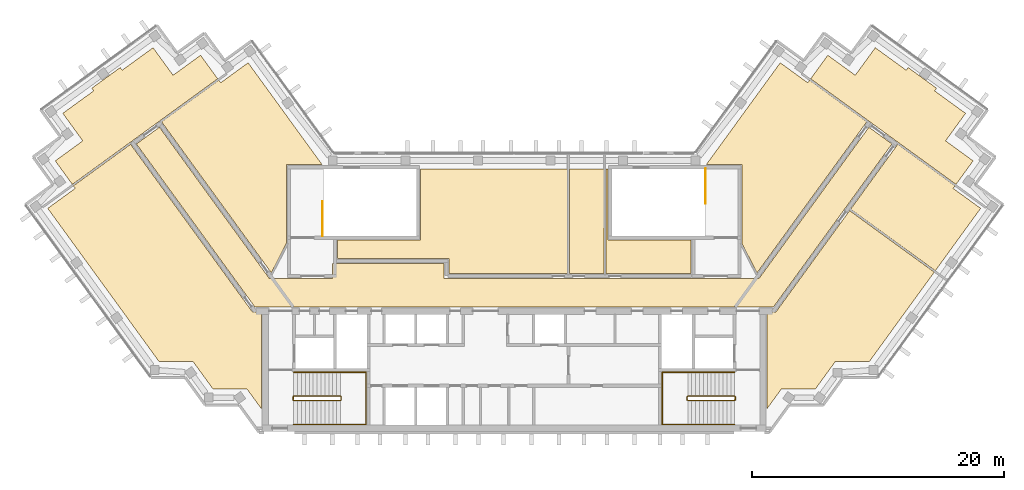
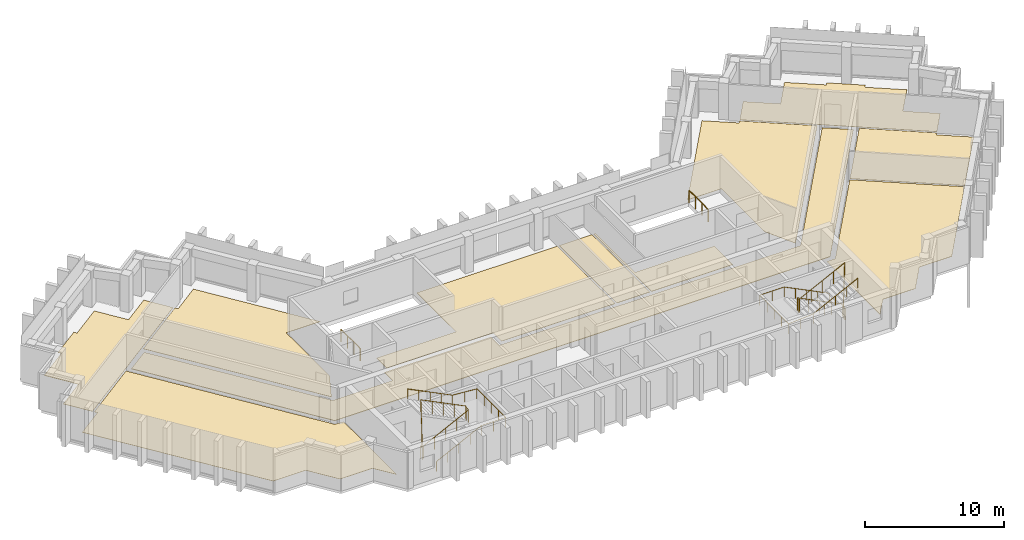
# One storey, part 8 of 8: 11 coverings, 6 railings.
"""IFC4 building model written with IfcOpenShell, lengths in metres."""

from ifc_helpers import new_model, si_unit, direction, frame, origin, origin_2d, place, context, subcontext, project, spatial, polyline, circle, outline, extrude, material, layer, layer_set, type_object, element, save


model = new_model("IFC4")

# Units and contexts
model_context = context("Model", 3, precision=1e-05, world=origin(), true_north=direction((0.0, 1.0)))
body_context = subcontext(model_context, "Body", "Model", "MODEL_VIEW")
ifc_project = project(units=[si_unit("LENGTHUNIT", "METRE"), si_unit("AREAUNIT", "SQUARE_METRE"), si_unit("VOLUMEUNIT", "CUBIC_METRE"), si_unit("PLANEANGLEUNIT", "RADIAN"), si_unit("MASSUNIT", "GRAM", prefix="KILO")], contexts=[model_context])

# Site, building, storey
site_placement = place(None, origin())
site = spatial("IfcSite", under=ifc_project, at=site_placement, CompositionType="ELEMENT")
building_placement = place(site_placement, origin())
building = spatial("IfcBuilding", under=site, at=building_placement, Name="Quipu Civic Tower", CompositionType="ELEMENT")
storey_placement = place(building_placement, frame((0.0, 0.0, 351.0)))
storey = spatial("IfcBuildingStorey", under=building, at=storey_placement, Name="L82", CompositionType="ELEMENT", Elevation=351.0)

# Coverings
ifc_material_1 = material(Name="Carpet tile on raised access floor")
ifc_layer_1 = layer(ifc_material_1, 0.02001953125)
ifc_layer_set_1 = layer_set([ifc_layer_1], Name="Carpet tile on raised access floor")
covering_type_1 = type_object("IfcCoveringType", Name="Carpet tile floor finish 20", PredefinedType="FLOORING", material=ifc_layer_set_1)
covering_1_placement = place(storey_placement, origin())
element("IfcCovering", 1, at=covering_1_placement, inside=storey, type_object=covering_type_1, Name="Carpet tile floor finish 20", PredefinedType="FLOORING", context=body_context, shape_type="SweptSolid", body=[
    extrude(outline(polyline([(15.238037109375, 10.169921875), (21.115966796875, 18.260986328125), (23.299072265625, 16.676025390625), (23.447998046875, 16.876953125), (27.987060546875, 13.5791015625), (19.27197265625, 1.583984375), (18.070068359375, 3.94189453125), (18.070068359375, 10.1689453125), (15.238037109375, 10.169921875)])), origin(), (0.0, 0.0, 1.0), 0.02001953125),
])
covering_2_placement = place(storey_placement, origin())
element("IfcCovering", 2, at=covering_2_placement, inside=storey, type_object=covering_type_1, Name="Carpet tile floor finish 20", PredefinedType="FLOORING", context=body_context, shape_type="SweptSolid", body=[
    extrude(outline(polyline([(26.705078125, 6.64208984375), (30.446044921875, 11.7919921875), (34.985107421875, 8.493896484375), (34.839111328125, 8.291015625), (37.02197265625, 6.7060546875), (33.427978515625, 1.758056640625), (26.705078125, 6.64208984375)])), origin(), (0.0, 0.0, 1.0), 0.02001953125),
])
covering_3_placement = place(storey_placement, origin())
element("IfcCovering", 3, at=covering_3_placement, inside=storey, type_object=covering_type_1, Name="Carpet tile floor finish 20", PredefinedType="FLOORING", context=body_context, shape_type="SweptSolid", body=[
    extrude(outline(polyline([(-27.987060546875, 13.5791015625), (-23.447998046875, 16.876953125), (-23.299072265625, 16.676025390625), (-21.115966796875, 18.260986328125), (-15.238037109375, 10.169921875), (-18.070068359375, 10.1689453125), (-18.070068359375, 3.94189453125), (-19.27197265625, 1.583984375), (-27.987060546875, 13.5791015625)])), origin(), (0.0, 0.0, 1.0), 0.02001953125),
])
covering_4_placement = place(storey_placement, origin())
element("IfcCovering", 4, at=covering_4_placement, inside=storey, type_object=covering_type_1, Name="Carpet tile floor finish 20", PredefinedType="FLOORING", context=body_context, shape_type="SweptSolid", body=[
    extrude(outline(polyline([(23.531005859375, 16.989013671875), (24.888916015625, 18.85791015625), (27.073974609375, 17.27197265625), (28.658935546875, 19.455078125), (31.116943359375, 17.6708984375), (31.27099609375, 17.8798828125), (33.52197265625, 16.2451171875), (33.3701171875, 16.032958984375), (35.826904296875, 14.248046875), (34.240966796875, 12.06396484375), (36.425048828125, 10.47705078125), (35.068115234375, 8.60791015625), (23.531005859375, 16.989013671875)])), origin(), (0.0, 0.0, 1.0), 0.02001953125),
])
covering_5_placement = place(storey_placement, origin())
element("IfcCovering", 5, at=covering_5_placement, inside=storey, type_object=covering_type_1, Name="Carpet tile floor finish 20", PredefinedType="FLOORING", context=body_context, shape_type="SweptSolid", body=[
    extrude(outline(polyline([(-36.425048828125, 10.47705078125), (-34.240966796875, 12.06396484375), (-35.826904296875, 14.248046875), (-33.3701171875, 16.032958984375), (-33.52197265625, 16.2451171875), (-31.27099609375, 17.8798828125), (-31.116943359375, 17.6708984375), (-28.658935546875, 19.455078125), (-27.073974609375, 17.27197265625), (-24.888916015625, 18.85791015625), (-23.531005859375, 16.989013671875), (-35.068115234375, 8.60791015625), (-36.425048828125, 10.47705078125)])), origin(), (0.0, 0.0, 1.0), 0.02001953125),
])
covering_6_placement = place(storey_placement, origin())
element("IfcCovering", 6, at=covering_6_placement, inside=storey, type_object=covering_type_1, Name="Carpet tile floor finish 20", PredefinedType="FLOORING", context=body_context, shape_type="SweptSolid", body=[
    extrude(outline(polyline([(20.070068359375, -9.195068359375), (20.070068359375, -1.52001953125), (20.77490234375, -1.51904296875), (26.6220703125, 6.529052734375), (33.344970703125, 1.64501953125), (28.181884765625, -5.4609375), (25.48193359375, -5.4619140625), (23.89501953125, -7.64599609375), (21.196044921875, -7.64599609375), (20.070068359375, -9.195068359375)])), origin(), (0.0, 0.0, 1.0), 0.02001953125),
])
covering_7_placement = place(storey_placement, origin())
element("IfcCovering", 7, at=covering_7_placement, inside=storey, type_object=covering_type_1, Name="Carpet tile floor finish 20", PredefinedType="FLOORING", context=body_context, shape_type="SweptSolid", body=[
    extrude(outline(polyline([(-14.030029296875, 2.719970703125), (-14.030029296875, 4.179931640625), (-7.430908203125, 4.180908203125), (-7.429931640625, 9.830078125), (4.2490234375, 9.830078125), (4.2490234375, 1.52001953125), (-5.179931640625, 1.52001953125), (-5.181884765625, 2.719970703125), (-14.030029296875, 2.719970703125)])), origin(), (0.0, 0.0, 1.0), 0.02001953125),
])
covering_8_placement = place(storey_placement, origin())
element("IfcCovering", 8, at=covering_8_placement, inside=storey, type_object=covering_type_1, Name="Carpet tile floor finish 20", PredefinedType="FLOORING", context=body_context, shape_type="SweptSolid", body=[
    extrude(outline(polyline([(-37.02197265625, 6.7060546875), (-34.839111328125, 8.291015625), (-34.985107421875, 8.493896484375), (-30.446044921875, 11.7919921875), (-20.77490234375, -1.51904296875), (-20.070068359375, -1.52001953125), (-20.070068359375, -9.195068359375), (-21.196044921875, -7.64599609375), (-23.89501953125, -7.64599609375), (-25.48193359375, -5.4619140625), (-28.181884765625, -5.4609375), (-37.02197265625, 6.7060546875)])), origin(), (0.0, 0.0, 1.0), 0.02001953125),
])
ifc_material_2 = material(Name="Ceramic floor tile")
ifc_layer_2 = layer(ifc_material_2, 0.030029296875)
ifc_layer_set_2 = layer_set([ifc_layer_2], Name="Ceramic floor tile")
covering_type_2 = type_object("IfcCoveringType", Name="Ceramic tile floor finish 30", PredefinedType="FLOORING", material=ifc_layer_set_2)
covering_9_placement = place(storey_placement, origin())
element("IfcCovering", 9, at=covering_9_placement, inside=storey, type_object=covering_type_2, Name="Ceramic tile floor finish 30", PredefinedType="FLOORING", context=body_context, shape_type="SweptSolid", body=[
    extrude(outline(polyline([(4.388916015625, 1.52001953125), (4.388916015625, 9.830078125), (7.1279296875, 9.830078125), (7.1279296875, 1.52001953125), (4.388916015625, 1.52001953125)])), origin(), (0.0, 0.0, 1.0), 0.030029296875),
])
covering_10_placement = place(storey_placement, origin())
element("IfcCovering", 10, at=covering_10_placement, inside=storey, type_object=covering_type_2, Name="Ceramic tile floor finish 30", PredefinedType="FLOORING", context=body_context, shape_type="SweptSolid", body=[
    extrude(outline(polyline([(7.26806640625, 1.52001953125), (7.26806640625, 9.830078125), (7.429931640625, 9.830078125), (7.429931640625, 4.180908203125), (14.030029296875, 4.179931640625), (14.030029296875, 1.52001953125), (7.26806640625, 1.52001953125)])), origin(), (0.0, 0.0, 1.0), 0.030029296875),
])

# Railings
ifc_material_3 = material(Name="Stainless steel", Category="steel")
railing_type_1 = type_object("IfcRailingType", Name="Stair guard 1100", PredefinedType="GUARDRAIL", material=ifc_material_3)
railing_1_placement = place(storey_placement, frame((-17.5, -8.550048828125, 0.15380859375)))
element("IfcRailing", 11, at=railing_1_placement, inside=storey, type_object=railing_type_1, Name="Stair 1 guard", PredefinedType="GUARDRAIL", context=body_context, shape_type="SweptSolid", body=[
    extrude(circle(Radius=0.02392578125, at=origin_2d()), frame((0.0, 0.0, 1.076171875), z_axis=(0.895751851347, 0.0, 0.444554407028), x_axis=(0.0, 1.0, 0.0)), (0.0, 0.0, 1.0), 4.15283203125),
    extrude(circle(Radius=0.02392578125, at=origin_2d()), frame((3.719970703125, 0.0, 2.92236328125), z_axis=(0.707106781187, 0.707106781187, 0.0), x_axis=(-0.707106781187, 0.707106781187, 0.0)), (0.0, 0.0, 1.0), 0.07080078125),
    extrude(circle(Radius=0.02392578125, at=origin_2d()), frame((3.77001953125, 0.050048828125, 2.92236328125), z_axis=(0.0, 1.0, 0.0), x_axis=(-1.0, 0.0, 0.0)), (0.0, 0.0, 1.0), 0.25),
    extrude(circle(Radius=0.02392578125, at=origin_2d()), frame((3.77001953125, 0.300048828125, 2.92236328125), z_axis=(-0.295599637079, 0.295599637079, 0.908428152975), x_axis=(-0.707106781187, -0.707106781187, 0.0)), (0.0, 0.0, 1.0), 0.16943359375),
    extrude(circle(Radius=0.02392578125, at=origin_2d()), frame((3.719970703125, 0.35009765625, 3.076171875), z_axis=(-0.895751851347, 0.0, 0.444554407028), x_axis=(0.0, -1.0, 0.0)), (0.0, 0.0, 1.0), 4.15283203125),
    extrude(circle(Radius=0.02392578125, at=origin_2d()), frame((0.0, 0.35009765625, 4.92236328125), z_axis=(-0.012476181752, -0.074796231092, -0.997120789425), x_axis=(0.986372223864, -0.164529134168, 0.0)), (0.0, 0.0, 1.0), 4.011474609375),
    extrude(circle(Radius=0.02392578125, at=origin_2d()), frame((-0.050048828125, 0.050048828125, 0.92236328125), z_axis=(0.0, 1.0, 0.0), x_axis=(-1.0, 0.0, 0.0)), (0.0, 0.0, 1.0), 0.25),
    extrude(circle(Radius=0.02099609375, at=origin_2d()), origin(), (0.0, 0.0, 1.0), 1.052001953125),
    extrude(circle(Radius=0.02099609375, at=origin_2d()), frame((0.929931640625, 0.0, 0.46142578125)), (0.0, 0.0, 1.0), 1.052001953125),
    extrude(circle(Radius=0.02099609375, at=origin_2d()), frame((1.85986328125, 0.0, 0.923095703125)), (0.0, 0.0, 1.0), 1.052001953125),
    extrude(circle(Radius=0.02099609375, at=origin_2d()), frame((2.7900390625, 0.0, 1.384765625)), (0.0, 0.0, 1.0), 1.052001953125),
    extrude(circle(Radius=0.02099609375, at=origin_2d()), frame((3.719970703125, 0.0, 1.84619140625)), (0.0, 0.0, 1.0), 1.052001953125),
    extrude(circle(Radius=0.02099609375, at=origin_2d()), frame((3.77001953125, 0.050048828125, 1.84619140625)), (0.0, 0.0, 1.0), 1.052001953125),
    extrude(circle(Radius=0.02099609375, at=origin_2d()), frame((3.77001953125, 0.300048828125, 1.84619140625)), (0.0, 0.0, 1.0), 1.052001953125),
    extrude(circle(Radius=0.02099609375, at=origin_2d()), frame((3.719970703125, 0.35009765625, 2.0)), (0.0, 0.0, 1.0), 1.052001953125),
    extrude(circle(Radius=0.02099609375, at=origin_2d()), frame((2.7900390625, 0.35009765625, 2.46142578125)), (0.0, 0.0, 1.0), 1.052001953125),
    extrude(circle(Radius=0.02099609375, at=origin_2d()), frame((1.85986328125, 0.35009765625, 2.923095703125)), (0.0, 0.0, 1.0), 1.052001953125),
    extrude(circle(Radius=0.02099609375, at=origin_2d()), frame((0.929931640625, 0.35009765625, 3.384765625)), (0.0, 0.0, 1.0), 1.052001953125),
    extrude(circle(Radius=0.02099609375, at=origin_2d()), frame((0.0, 0.35009765625, 3.84619140625)), (0.0, 0.0, 1.0), 1.052001953125),
    extrude(circle(Radius=0.02099609375, at=origin_2d()), frame((-0.012451171875, 0.275146484375, 2.84619140625)), (0.0, 0.0, 1.0), 1.052001953125),
    extrude(circle(Radius=0.02099609375, at=origin_2d()), frame((-0.02490234375, 0.2001953125, 1.84619140625)), (0.0, 0.0, 1.0), 1.052001953125),
    extrude(circle(Radius=0.02099609375, at=origin_2d()), frame((-0.03759765625, 0.125, 0.84619140625)), (0.0, 0.0, 1.0), 1.052001953125),
    extrude(circle(Radius=0.02099609375, at=origin_2d()), frame((-0.050048828125, 0.050048828125, -0.15380859375)), (0.0, 0.0, 1.0), 1.052001953125),
    extrude(circle(Radius=0.02099609375, at=origin_2d()), frame((-0.050048828125, 0.300048828125, -0.15380859375)), (0.0, 0.0, 1.0), 1.052001953125),
])
railing_2_placement = place(storey_placement, frame((17.5, -8.199951171875, 0.15380859375)))
element("IfcRailing", 12, at=railing_2_placement, inside=storey, type_object=railing_type_1, Name="Stair 2 guard", PredefinedType="GUARDRAIL", context=body_context, shape_type="SweptSolid", body=[
    extrude(circle(Radius=0.02392578125, at=origin_2d()), frame((0.0, 0.0, 1.076171875), z_axis=(-0.895751851347, 0.0, 0.444554407028), x_axis=(0.0, -1.0, 0.0)), (0.0, 0.0, 1.0), 4.15283203125),
    extrude(circle(Radius=0.02392578125, at=origin_2d()), frame((-3.719970703125, 0.0, 2.92236328125), z_axis=(-0.707106781187, -0.707106781187, 0.0), x_axis=(0.707106781187, -0.707106781187, 0.0)), (0.0, 0.0, 1.0), 0.07080078125),
    extrude(circle(Radius=0.02392578125, at=origin_2d()), frame((-3.77001953125, -0.050048828125, 2.92236328125), z_axis=(0.0, -1.0, 0.0), x_axis=(1.0, 0.0, 0.0)), (0.0, 0.0, 1.0), 0.25),
    extrude(circle(Radius=0.02392578125, at=origin_2d()), frame((-3.77001953125, -0.300048828125, 2.92236328125), z_axis=(0.295599637079, -0.295599637079, 0.908428152975), x_axis=(0.707106781187, 0.707106781187, 0.0)), (0.0, 0.0, 1.0), 0.16943359375),
    extrude(circle(Radius=0.02392578125, at=origin_2d()), frame((-3.719970703125, -0.35009765625, 3.076171875), z_axis=(0.895751851347, 0.0, 0.444554407028), x_axis=(0.0, 1.0, 0.0)), (0.0, 0.0, 1.0), 4.15283203125),
    extrude(circle(Radius=0.02392578125, at=origin_2d()), frame((0.0, -0.35009765625, 4.92236328125), z_axis=(0.012476181752, 0.074796231092, -0.997120789425), x_axis=(-0.986372223864, 0.164529134168, 0.0)), (0.0, 0.0, 1.0), 4.011474609375),
    extrude(circle(Radius=0.02392578125, at=origin_2d()), frame((0.050048828125, -0.050048828125, 0.92236328125), z_axis=(0.0, -1.0, 0.0), x_axis=(1.0, 0.0, 0.0)), (0.0, 0.0, 1.0), 0.25),
    extrude(circle(Radius=0.02099609375, at=origin_2d()), origin(), (0.0, 0.0, 1.0), 1.052001953125),
    extrude(circle(Radius=0.02099609375, at=origin_2d()), frame((-0.929931640625, 0.0, 0.46142578125)), (0.0, 0.0, 1.0), 1.052001953125),
    extrude(circle(Radius=0.02099609375, at=origin_2d()), frame((-1.85986328125, 0.0, 0.923095703125)), (0.0, 0.0, 1.0), 1.052001953125),
    extrude(circle(Radius=0.02099609375, at=origin_2d()), frame((-2.7900390625, 0.0, 1.384765625)), (0.0, 0.0, 1.0), 1.052001953125),
    extrude(circle(Radius=0.02099609375, at=origin_2d()), frame((-3.719970703125, 0.0, 1.84619140625)), (0.0, 0.0, 1.0), 1.052001953125),
    extrude(circle(Radius=0.02099609375, at=origin_2d()), frame((-3.77001953125, -0.050048828125, 1.84619140625)), (0.0, 0.0, 1.0), 1.052001953125),
    extrude(circle(Radius=0.02099609375, at=origin_2d()), frame((-3.77001953125, -0.300048828125, 1.84619140625)), (0.0, 0.0, 1.0), 1.052001953125),
    extrude(circle(Radius=0.02099609375, at=origin_2d()), frame((-3.719970703125, -0.35009765625, 2.0)), (0.0, 0.0, 1.0), 1.052001953125),
    extrude(circle(Radius=0.02099609375, at=origin_2d()), frame((-2.7900390625, -0.35009765625, 2.46142578125)), (0.0, 0.0, 1.0), 1.052001953125),
    extrude(circle(Radius=0.02099609375, at=origin_2d()), frame((-1.85986328125, -0.35009765625, 2.923095703125)), (0.0, 0.0, 1.0), 1.052001953125),
    extrude(circle(Radius=0.02099609375, at=origin_2d()), frame((-0.929931640625, -0.35009765625, 3.384765625)), (0.0, 0.0, 1.0), 1.052001953125),
    extrude(circle(Radius=0.02099609375, at=origin_2d()), frame((0.0, -0.35009765625, 3.84619140625)), (0.0, 0.0, 1.0), 1.052001953125),
    extrude(circle(Radius=0.02099609375, at=origin_2d()), frame((0.012451171875, -0.275146484375, 2.84619140625)), (0.0, 0.0, 1.0), 1.052001953125),
    extrude(circle(Radius=0.02099609375, at=origin_2d()), frame((0.02490234375, -0.2001953125, 1.84619140625)), (0.0, 0.0, 1.0), 1.052001953125),
    extrude(circle(Radius=0.02099609375, at=origin_2d()), frame((0.03759765625, -0.125, 0.84619140625)), (0.0, 0.0, 1.0), 1.052001953125),
    extrude(circle(Radius=0.02099609375, at=origin_2d()), frame((0.050048828125, -0.050048828125, -0.15380859375)), (0.0, 0.0, 1.0), 1.052001953125),
    extrude(circle(Radius=0.02099609375, at=origin_2d()), frame((0.050048828125, -0.300048828125, -0.15380859375)), (0.0, 0.0, 1.0), 1.052001953125),
])
railing_3_placement = place(storey_placement, frame((-15.199951171875, 4.5, 0.0)))
element("IfcRailing", 13, at=railing_3_placement, inside=storey, type_object=railing_type_1, Name="Stair 3 top guard", PredefinedType="GUARDRAIL", context=body_context, shape_type="SweptSolid", body=[
    extrude(circle(Radius=0.02392578125, at=origin_2d()), frame((0.0, 0.0, 1.076171875), z_axis=(0.0, 1.0, 0.0), x_axis=(-1.0, 0.0, 0.0)), (0.0, 0.0, 1.0), 2.75),
    extrude(circle(Radius=0.02099609375, at=origin_2d()), origin(), (0.0, 0.0, 1.0), 1.052001953125),
    extrude(circle(Radius=0.02099609375, at=origin_2d()), frame((0.0, 0.916748046875, 0.0)), (0.0, 0.0, 1.0), 1.052001953125),
    extrude(circle(Radius=0.02099609375, at=origin_2d()), frame((0.0, 1.833251953125, 0.0)), (0.0, 0.0, 1.0), 1.052001953125),
    extrude(circle(Radius=0.02099609375, at=origin_2d()), frame((0.0, 2.75, 0.0)), (0.0, 0.0, 1.0), 1.052001953125),
])
railing_4_placement = place(storey_placement, frame((15.199951171875, 9.85009765625, 0.0)))
element("IfcRailing", 14, at=railing_4_placement, inside=storey, type_object=railing_type_1, Name="Stair 4 top guard", PredefinedType="GUARDRAIL", context=body_context, shape_type="SweptSolid", body=[
    extrude(circle(Radius=0.02392578125, at=origin_2d()), frame((0.0, 0.0, 1.076171875), z_axis=(0.0, -1.0, 0.0), x_axis=(1.0, 0.0, 0.0)), (0.0, 0.0, 1.0), 2.75),
    extrude(circle(Radius=0.02099609375, at=origin_2d()), origin(), (0.0, 0.0, 1.0), 1.052001953125),
    extrude(circle(Radius=0.02099609375, at=origin_2d()), frame((0.0, -0.916748046875, 0.0)), (0.0, 0.0, 1.0), 1.052001953125),
    extrude(circle(Radius=0.02099609375, at=origin_2d()), frame((0.0, -1.833251953125, 0.0)), (0.0, 0.0, 1.0), 1.052001953125),
    extrude(circle(Radius=0.02099609375, at=origin_2d()), frame((0.0, -2.75, 0.0)), (0.0, 0.0, 1.0), 1.052001953125),
])
ifc_material_4 = material(Name="Stainless steel", Category="steel")
railing_type_2 = type_object("IfcRailingType", Name="Stair handrail", PredefinedType="HANDRAIL", material=ifc_material_4)
railing_5_placement = place(storey_placement, frame((-17.5, -10.449951171875, 0.15380859375)))
element("IfcRailing", 15, at=railing_5_placement, inside=storey, type_object=railing_type_2, Name="Stair 1 handrail", PredefinedType="HANDRAIL", context=body_context, shape_type="SweptSolid", body=[
    extrude(circle(Radius=0.02392578125, at=origin_2d()), frame((0.0, 0.0, 0.8759765625), z_axis=(0.895751851347, 0.0, 0.444554407028), x_axis=(0.0, 1.0, 0.0)), (0.0, 0.0, 1.0), 4.15283203125),
    extrude(circle(Radius=0.02392578125, at=origin_2d()), frame((3.719970703125, 0.0, 2.72216796875), z_axis=(1.0, 0.0, 0.0), x_axis=(0.0, 1.0, 0.0)), (0.0, 0.0, 1.0), 2.030029296875),
    extrude(circle(Radius=0.02392578125, at=origin_2d()), frame((5.75, 0.0, 2.72216796875), z_axis=(0.0, 1.0, 0.0), x_axis=(-1.0, 0.0, 0.0)), (0.0, 0.0, 1.0), 4.14990234375),
    extrude(circle(Radius=0.02392578125, at=origin_2d()), frame((5.75, 4.14990234375, 2.72216796875), z_axis=(-0.997142003663, 0.0, 0.075550145798), x_axis=(0.0, -1.0, 0.0)), (0.0, 0.0, 1.0), 2.035888671875),
    extrude(circle(Radius=0.02392578125, at=origin_2d()), frame((3.719970703125, 4.14990234375, 2.8759765625), z_axis=(-0.895751851347, 0.0, 0.444554407028), x_axis=(0.0, -1.0, 0.0)), (0.0, 0.0, 1.0), 4.15283203125),
    extrude(circle(Radius=0.02099609375, at=origin_2d()), origin(), (0.0, 0.0, 1.0), 0.851806640625),
    extrude(circle(Radius=0.02099609375, at=origin_2d()), frame((0.929931640625, 0.0, 0.46142578125)), (0.0, 0.0, 1.0), 0.851806640625),
    extrude(circle(Radius=0.02099609375, at=origin_2d()), frame((1.85986328125, 0.0, 0.923095703125)), (0.0, 0.0, 1.0), 0.851806640625),
    extrude(circle(Radius=0.02099609375, at=origin_2d()), frame((2.7900390625, 0.0, 1.384765625)), (0.0, 0.0, 1.0), 0.851806640625),
    extrude(circle(Radius=0.02099609375, at=origin_2d()), frame((3.719970703125, 0.0, 1.84619140625)), (0.0, 0.0, 1.0), 0.851806640625),
    extrude(circle(Radius=0.02099609375, at=origin_2d()), frame((4.73486328125, 0.0, 1.84619140625)), (0.0, 0.0, 1.0), 0.851806640625),
    extrude(circle(Radius=0.02099609375, at=origin_2d()), frame((5.75, 0.0, 1.84619140625)), (0.0, 0.0, 1.0), 0.851806640625),
    extrude(circle(Radius=0.02099609375, at=origin_2d()), frame((5.75, 1.03759765625, 1.84619140625)), (0.0, 0.0, 1.0), 0.851806640625),
    extrude(circle(Radius=0.02099609375, at=origin_2d()), frame((5.75, 2.074951171875, 1.84619140625)), (0.0, 0.0, 1.0), 0.851806640625),
    extrude(circle(Radius=0.02099609375, at=origin_2d()), frame((5.75, 3.1123046875, 1.84619140625)), (0.0, 0.0, 1.0), 0.851806640625),
    extrude(circle(Radius=0.02099609375, at=origin_2d()), frame((5.75, 4.14990234375, 1.84619140625)), (0.0, 0.0, 1.0), 0.851806640625),
    extrude(circle(Radius=0.02099609375, at=origin_2d()), frame((4.73486328125, 4.14990234375, 1.923095703125)), (0.0, 0.0, 1.0), 0.851806640625),
    extrude(circle(Radius=0.02099609375, at=origin_2d()), frame((3.719970703125, 4.14990234375, 2.0)), (0.0, 0.0, 1.0), 0.851806640625),
    extrude(circle(Radius=0.02099609375, at=origin_2d()), frame((2.7900390625, 4.14990234375, 2.46142578125)), (0.0, 0.0, 1.0), 0.851806640625),
    extrude(circle(Radius=0.02099609375, at=origin_2d()), frame((1.85986328125, 4.14990234375, 2.923095703125)), (0.0, 0.0, 1.0), 0.851806640625),
    extrude(circle(Radius=0.02099609375, at=origin_2d()), frame((0.929931640625, 4.14990234375, 3.384765625)), (0.0, 0.0, 1.0), 0.851806640625),
    extrude(circle(Radius=0.02099609375, at=origin_2d()), frame((0.0, 4.14990234375, 3.84619140625)), (0.0, 0.0, 1.0), 0.851806640625),
])
railing_6_placement = place(storey_placement, frame((17.5, -6.300048828125, 0.15380859375)))
element("IfcRailing", 16, at=railing_6_placement, inside=storey, type_object=railing_type_2, Name="Stair 2 handrail", PredefinedType="HANDRAIL", context=body_context, shape_type="SweptSolid", body=[
    extrude(circle(Radius=0.02392578125, at=origin_2d()), frame((0.0, 0.0, 0.8759765625), z_axis=(-0.895751851347, 0.0, 0.444554407028), x_axis=(0.0, -1.0, 0.0)), (0.0, 0.0, 1.0), 4.15283203125),
    extrude(circle(Radius=0.02392578125, at=origin_2d()), frame((-3.719970703125, 0.0, 2.72216796875), z_axis=(-1.0, 0.0, 0.0), x_axis=(0.0, -1.0, 0.0)), (0.0, 0.0, 1.0), 2.030029296875),
    extrude(circle(Radius=0.02392578125, at=origin_2d()), frame((-5.75, 0.0, 2.72216796875), z_axis=(0.0, -1.0, 0.0), x_axis=(1.0, 0.0, 0.0)), (0.0, 0.0, 1.0), 4.14990234375),
    extrude(circle(Radius=0.02392578125, at=origin_2d()), frame((-5.75, -4.14990234375, 2.72216796875), z_axis=(0.997142003663, 0.0, 0.075550145798), x_axis=(0.0, 1.0, 0.0)), (0.0, 0.0, 1.0), 2.035888671875),
    extrude(circle(Radius=0.02392578125, at=origin_2d()), frame((-3.719970703125, -4.14990234375, 2.8759765625), z_axis=(0.895751851347, 0.0, 0.444554407028), x_axis=(0.0, 1.0, 0.0)), (0.0, 0.0, 1.0), 4.15283203125),
    extrude(circle(Radius=0.02099609375, at=origin_2d()), origin(), (0.0, 0.0, 1.0), 0.851806640625),
    extrude(circle(Radius=0.02099609375, at=origin_2d()), frame((-0.929931640625, 0.0, 0.46142578125)), (0.0, 0.0, 1.0), 0.851806640625),
    extrude(circle(Radius=0.02099609375, at=origin_2d()), frame((-1.85986328125, 0.0, 0.923095703125)), (0.0, 0.0, 1.0), 0.851806640625),
    extrude(circle(Radius=0.02099609375, at=origin_2d()), frame((-2.7900390625, 0.0, 1.384765625)), (0.0, 0.0, 1.0), 0.851806640625),
    extrude(circle(Radius=0.02099609375, at=origin_2d()), frame((-3.719970703125, 0.0, 1.84619140625)), (0.0, 0.0, 1.0), 0.851806640625),
    extrude(circle(Radius=0.02099609375, at=origin_2d()), frame((-4.73486328125, 0.0, 1.84619140625)), (0.0, 0.0, 1.0), 0.851806640625),
    extrude(circle(Radius=0.02099609375, at=origin_2d()), frame((-5.75, 0.0, 1.84619140625)), (0.0, 0.0, 1.0), 0.851806640625),
    extrude(circle(Radius=0.02099609375, at=origin_2d()), frame((-5.75, -1.03759765625, 1.84619140625)), (0.0, 0.0, 1.0), 0.851806640625),
    extrude(circle(Radius=0.02099609375, at=origin_2d()), frame((-5.75, -2.074951171875, 1.84619140625)), (0.0, 0.0, 1.0), 0.851806640625),
    extrude(circle(Radius=0.02099609375, at=origin_2d()), frame((-5.75, -3.1123046875, 1.84619140625)), (0.0, 0.0, 1.0), 0.851806640625),
    extrude(circle(Radius=0.02099609375, at=origin_2d()), frame((-5.75, -4.14990234375, 1.84619140625)), (0.0, 0.0, 1.0), 0.851806640625),
    extrude(circle(Radius=0.02099609375, at=origin_2d()), frame((-4.73486328125, -4.14990234375, 1.923095703125)), (0.0, 0.0, 1.0), 0.851806640625),
    extrude(circle(Radius=0.02099609375, at=origin_2d()), frame((-3.719970703125, -4.14990234375, 2.0)), (0.0, 0.0, 1.0), 0.851806640625),
    extrude(circle(Radius=0.02099609375, at=origin_2d()), frame((-2.7900390625, -4.14990234375, 2.46142578125)), (0.0, 0.0, 1.0), 0.851806640625),
    extrude(circle(Radius=0.02099609375, at=origin_2d()), frame((-1.85986328125, -4.14990234375, 2.923095703125)), (0.0, 0.0, 1.0), 0.851806640625),
    extrude(circle(Radius=0.02099609375, at=origin_2d()), frame((-0.929931640625, -4.14990234375, 3.384765625)), (0.0, 0.0, 1.0), 0.851806640625),
    extrude(circle(Radius=0.02099609375, at=origin_2d()), frame((0.0, -4.14990234375, 3.84619140625)), (0.0, 0.0, 1.0), 0.851806640625),
])

# Covering
ifc_material_5 = material(Name="Terrazzo floor finish")
ifc_layer_3 = layer(ifc_material_5, 0.0400390625)
ifc_layer_set_3 = layer_set([ifc_layer_3], Name="Terrazzo floor finish")
covering_type_3 = type_object("IfcCoveringType", Name="Terrazzo floor finish 40", PredefinedType="FLOORING", material=ifc_layer_set_3)
covering_11_placement = place(storey_placement, origin())
element("IfcCovering", 17, at=covering_11_placement, inside=storey, type_object=covering_type_3, Name="Terrazzo floor finish 40", PredefinedType="FLOORING", context=body_context, shape_type="SweptSolid", body=[
    extrude(outline(polyline([(19.425048828125, 1.1298828125), (28.155029296875, 13.14697265625), (29.98291015625, 11.819091796875), (20.574951171875, -1.1298828125), (-20.574951171875, -1.1298828125), (-29.98291015625, 11.819091796875), (-28.155029296875, 13.14697265625), (-19.425048828125, 1.1298828125), (-14.429931640625, 1.1298828125), (-14.429931640625, 2.330078125), (-5.570068359375, 2.330078125), (-5.570068359375, 1.1298828125), (19.425048828125, 1.1298828125)])), origin(), (0.0, 0.0, 1.0), 0.0400390625),
])

save(model, "model.ifc")
